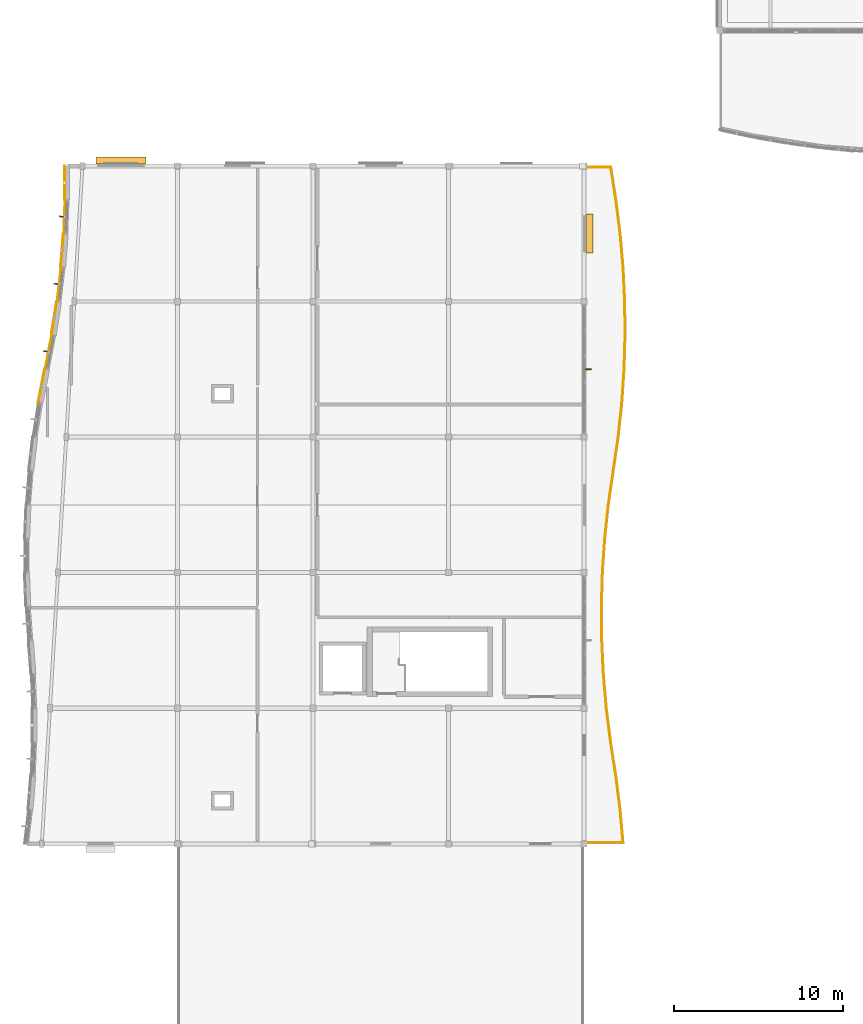
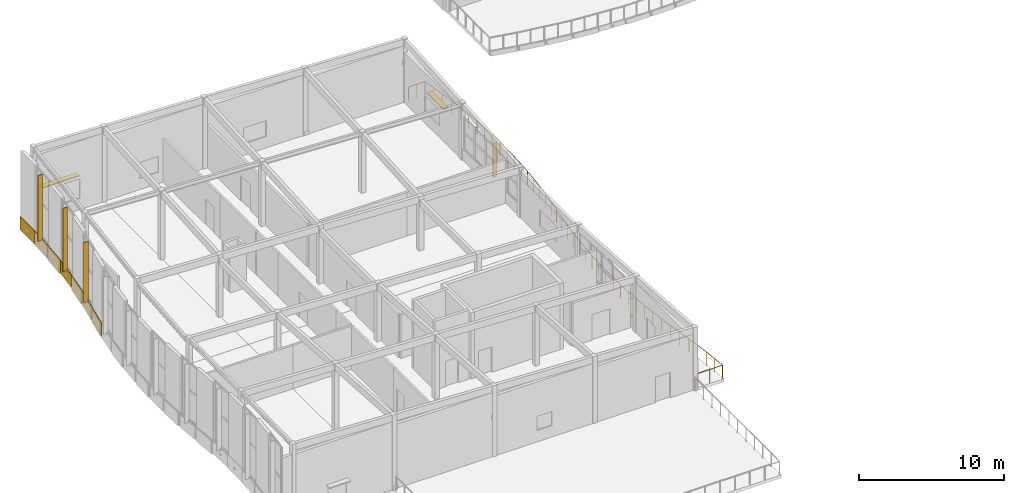
# One storey, part 43 of 52: 7 coverings, 6 shading devices, 1 railing.
"""IFC4 building model written with IfcOpenShell, lengths in metres."""

import ifcopenshell
import ifcopenshell.guid

model = None  # the IFC model being written
_history = None  # IfcOwnerHistory: only IFC2X3 demands one
_inside = {}  # id of a spatial element -> (the spatial element, [elements in it])
_under = {}  # id of a project, library or spatial element -> (it, [spatial elements below it])
_declared = {}  # id of a project -> (the project, [libraries it declares])
_typed = {}  # id of a type object -> (the type object, [elements of that type])
_made_of = {}  # id of a material, layer set ... -> (it, [elements and type objects made of it])


def new_model(schema):
    """Start an empty IFC model of exactly this schema.

    Asked for "IFC4X3", IfcOpenShell would pick the latest addendum, in which some entities
    have other attributes; the version numbers below select the first issue.
    IFC2X3 requires an IfcOwnerHistory on every rooted entity: one is made here for all.
    """
    global model, _history
    if schema == "IFC4X3":
        model = ifcopenshell.file(schema_version=(4, 3, 0, 0))
    else:
        model = ifcopenshell.file(schema=schema)
    _inside.clear()
    _under.clear()
    _declared.clear()
    _typed.clear()
    _made_of.clear()
    _history = None
    if model.schema == "IFC2X3":
        org = make("IfcOrganization", Name="unknown")
        user = make(
            "IfcPersonAndOrganization",
            ThePerson=make("IfcPerson", FamilyName="unknown"),
            TheOrganization=org,
        )
        app = make(
            "IfcApplication",
            ApplicationDeveloper=org,
            Version="unknown",
            ApplicationFullName="unknown",
            ApplicationIdentifier="unknown",
        )
        _history = make(
            "IfcOwnerHistory",
            OwningUser=user,
            OwningApplication=app,
            ChangeAction="ADDED",
            CreationDate=0,
        )
    return model


def make(cls, **values):
    """One entity of the class cls with the attributes given. An attribute that is None is left unset."""
    return model.create_entity(
        cls, **{name: value for name, value in values.items() if value is not None}
    )


def rooted(cls, **values):
    """An entity with a GlobalId (a new one), such as an element, a storey or a relation."""
    return make(cls, GlobalId=ifcopenshell.guid.new(), OwnerHistory=_history, **values)


def si_unit(unit_type, name, prefix=None):
    """IfcSIUnit, for example si_unit("LENGTHUNIT", "METRE", prefix="MILLI")."""
    return make("IfcSIUnit", UnitType=unit_type, Prefix=prefix, Name=name)


def assignment(units):
    """IfcUnitAssignment: the units of a project."""
    return None if units is None else make("IfcUnitAssignment", Units=units)


def point(xyz):
    """IfcCartesianPoint."""
    return None if xyz is None else make("IfcCartesianPoint", Coordinates=xyz)


def direction(xyz):
    """IfcDirection."""
    return None if xyz is None else make("IfcDirection", DirectionRatios=xyz)


def frame(location, z_axis=None, x_axis=None):
    """IfcAxis2Placement3D, a coordinate frame: its origin and axes. An axis left out is left unset."""
    return make(
        "IfcAxis2Placement3D",
        Location=point(location),
        Axis=direction(z_axis),
        RefDirection=direction(x_axis),
    )


def frame_2d(location, x_axis=None):
    """IfcAxis2Placement2D, a coordinate frame in the plane: its origin and x axis."""
    return make(
        "IfcAxis2Placement2D", Location=point(location), RefDirection=direction(x_axis)
    )


def origin():
    """The frame at (0, 0, 0) with its axes left unset."""
    return frame((0.0, 0.0, 0.0))


def origin_2d():
    """The frame at (0, 0) in the plane with its x axis left unset."""
    return frame_2d((0.0, 0.0))


def place(relative_to, where):
    """IfcLocalPlacement: puts the frame where relative to a parent placement (None: the world)."""
    return make(
        "IfcLocalPlacement", PlacementRelTo=relative_to, RelativePlacement=where
    )


def context(
    kind, dimensions, precision=None, world=None, true_north=None, identifier=None
):
    """IfcGeometricRepresentationContext, for example the 3D "Model" context."""
    return make(
        "IfcGeometricRepresentationContext",
        ContextIdentifier=identifier,
        ContextType=kind,
        CoordinateSpaceDimension=dimensions,
        Precision=precision,
        WorldCoordinateSystem=world,
        TrueNorth=true_north,
    )


def subcontext(parent, identifier, kind, view, scale=None):
    """IfcGeometricRepresentationSubContext, for example "Body" below "Model"."""
    return make(
        "IfcGeometricRepresentationSubContext",
        ContextIdentifier=identifier,
        ContextType=kind,
        ParentContext=parent,
        TargetScale=scale,
        TargetView=view,
    )


def project(units=None, contexts=None):
    """IfcProject with its units and contexts."""
    return rooted(
        "IfcProject",
        Name="project",
        RepresentationContexts=contexts,
        UnitsInContext=assignment(units),
    )


def spatial(cls, under=None, at=None, **own):
    """A site, building, storey or space (cls), placed at a placement, below another one or the project."""
    s = rooted(cls, ObjectPlacement=at, **own)
    if under is not None:
        _under.setdefault(under.id(), (under, []))[1].append(s)
    return s


def polyline(points):
    """IfcPolyline through the points."""
    return make("IfcPolyline", Points=[point(p) for p in points])


def profile(cls, at=None, kind="AREA", **sizes):
    """A parametric profile (cls). Its sizes go by their IFC names, for example OverallWidth=200.0."""
    return make(cls, ProfileType=kind, Position=at, **sizes)


def rectangle(**sizes):
    """IfcRectangleProfileDef."""
    return profile("IfcRectangleProfileDef", **sizes)


def circle(**sizes):
    """IfcCircleProfileDef."""
    return profile("IfcCircleProfileDef", **sizes)


def outline(outer, holes=None, kind="AREA"):
    """IfcArbitraryClosedProfileDef: a profile drawn as a closed curve; with holes, ...WithVoids."""
    if holes is None:
        return make("IfcArbitraryClosedProfileDef", ProfileType=kind, OuterCurve=outer)
    return make(
        "IfcArbitraryProfileDefWithVoids",
        ProfileType=kind,
        OuterCurve=outer,
        InnerCurves=holes,
    )


def extrude(swept, where, along, depth):
    """IfcExtrudedAreaSolid: the profile swept, set in the frame where, extruded along a direction by depth."""
    return make(
        "IfcExtrudedAreaSolid",
        SweptArea=swept,
        Position=where,
        ExtrudedDirection=direction(along),
        Depth=depth,
    )


def shape(context_of_items, identifier, shape_type, items):
    """IfcShapeRepresentation: the items that make up one representation, for example the "Body"."""
    return make(
        "IfcShapeRepresentation",
        ContextOfItems=context_of_items,
        RepresentationIdentifier=identifier,
        RepresentationType=shape_type,
        Items=items,
    )


def material(Name=None, Category=None):
    """IfcMaterial."""
    return make("IfcMaterial", Name=Name, Category=Category)


def layer(
    of_material, thickness, ventilated=None, Name=None, Category=None, Priority=None
):
    """IfcMaterialLayer: one layer of a wall or slab, of a material (None: an air gap)."""
    return make(
        "IfcMaterialLayer",
        Material=of_material,
        LayerThickness=thickness,
        IsVentilated=ventilated,
        Name=Name,
        Category=Category,
        Priority=Priority,
    )


def layer_set(layers, Name=None):
    """IfcMaterialLayerSet."""
    return make("IfcMaterialLayerSet", MaterialLayers=layers, LayerSetName=Name)


def made_of(thing, what):
    """Note that an element or type object is made of a material, layer set ...; save() writes the relation."""
    if what is not None:
        _made_of.setdefault(what.id(), (what, []))[1].append(thing)
    return thing


def type_object(cls, material=None, **own):
    """A type object (cls), such as IfcWallType, which elements share."""
    return made_of(rooted(cls, **own), material)


def element(
    cls,
    number,
    at=None,
    inside=None,
    cuts=None,
    type_object=None,
    material=None,
    context=None,
    identifier="Body",
    shape_type=None,
    held_by="IfcProductDefinitionShape",
    body=None,
    shapes=None,
    **own,
):
    """One element of the class cls, such as IfcWall. Its Tag is "e" and its number.

    at: its placement. inside: the storey or other place that contains it. cuts: it is an
    opening in that element (IfcRelVoidsElement). A single representation is given by context,
    identifier, shape_type and body (its items); several are given by shapes. held_by: the class
    of the entity that holds the representations. save() writes the other relations.
    """
    e = rooted(cls, Tag="e%d" % number, ObjectPlacement=at, **own)
    if body is not None:
        shapes = [shape(context, identifier, shape_type, body)]
    if shapes is not None:
        e.Representation = make(held_by, Representations=shapes)
    if inside is not None:
        _inside.setdefault(inside.id(), (inside, []))[1].append(e)
    if cuts is not None:
        rooted(
            "IfcRelVoidsElement", RelatingBuildingElement=cuts, RelatedOpeningElement=e
        )
    if type_object is not None:
        _typed.setdefault(type_object.id(), (type_object, []))[1].append(e)
    return made_of(e, material)


def aggregate(whole, parts):
    """IfcRelAggregates: a whole, such as a stair, and the parts it consists of."""
    return rooted("IfcRelAggregates", RelatingObject=whole, RelatedObjects=parts)


def save(model, path):
    """Write the relations noted so far, then the file.

    IfcRelAggregates (storeys below a building ...), IfcRelContainedInSpatialStructure (elements
    in a storey), IfcRelDefinesByType, IfcRelAssociatesMaterial and IfcRelDeclares: one each for
    every whole, place, type object, material and project.
    """
    for whole, parts in _under.values():
        aggregate(whole, parts)
    for where, things in _inside.values():
        rooted(
            "IfcRelContainedInSpatialStructure",
            RelatedElements=things,
            RelatingStructure=where,
        )
    for kind, things in _typed.values():
        rooted("IfcRelDefinesByType", RelatedObjects=things, RelatingType=kind)
    for what, things in _made_of.values():
        rooted("IfcRelAssociatesMaterial", RelatedObjects=things, RelatingMaterial=what)
    for by, libraries in _declared.values():
        rooted("IfcRelDeclares", RelatingContext=by, RelatedDefinitions=libraries)
    model.write(path)


model = new_model("IFC4")

# Units and contexts
model_context = context("Model", 3, precision=1e-05, world=origin(), true_north=direction((0.0, 1.0)))
body_context = subcontext(model_context, "Body", "Model", "MODEL_VIEW")
ifc_project = project(units=[si_unit("LENGTHUNIT", "METRE"), si_unit("AREAUNIT", "SQUARE_METRE"), si_unit("VOLUMEUNIT", "CUBIC_METRE"), si_unit("PLANEANGLEUNIT", "RADIAN"), si_unit("MASSUNIT", "GRAM", prefix="KILO")], contexts=[model_context])

# Site, building, storey
site_placement = place(None, origin())
site = spatial("IfcSite", under=ifc_project, at=site_placement, CompositionType="ELEMENT")
building_placement = place(site_placement, origin())
building = spatial("IfcBuilding", under=site, at=building_placement, Name="Tonlespit Floodbar School", CompositionType="ELEMENT")
storey_placement = place(building_placement, frame((0.0, 0.0, 12.300048828125)))
storey = spatial("IfcBuildingStorey", under=building, at=storey_placement, Name="L03", CompositionType="ELEMENT", Elevation=12.300048828125)

# Coverings
ifc_material_1 = material(Name="White Architectural Aluminium", Category="aluminium")
ifc_layer_1 = layer(ifc_material_1, 0.050048828125)
ifc_layer_set_1 = layer_set([ifc_layer_1], Name="White Architectural Aluminium")
covering_type = type_object("IfcCoveringType", Name="Cladding_WhiteBand_50", PredefinedType="CLADDING", material=ifc_layer_set_1)
covering_1_placement = place(storey_placement, frame((0.0, 0.0, -0.1201171875)))
element("IfcCovering", 1, at=covering_1_placement, inside=storey, type_object=covering_type, Name="L03 curved white spandrel cladding 0582", PredefinedType="CLADDING", context=body_context, shape_type="SweptSolid", body=[
    extrude(outline(polyline([(3.810546875, 82.02490234375), (4.202392578125, 84.02490234375), (4.1533203125, 84.03466796875), (3.761474609375, 82.03466796875), (3.810546875, 82.02490234375)])), origin(), (0.0, 0.0, 1.0), 1.1201171875),
])
covering_2_placement = place(storey_placement, frame((0.0, 0.0, -0.1201171875)))
element("IfcCovering", 2, at=covering_2_placement, inside=storey, type_object=covering_type, Name="L03 curved white spandrel cladding 0583", PredefinedType="CLADDING", context=body_context, shape_type="SweptSolid", body=[
    extrude(outline(polyline([(4.23193359375, 84.019287109375), (4.623779296875, 86.019287109375), (4.57470703125, 86.02880859375), (4.182861328125, 84.02880859375), (4.23193359375, 84.019287109375)])), origin(), (0.0, 0.0, 1.0), 1.070068359375),
])
covering_3_placement = place(storey_placement, frame((0.0, 0.0, -0.1201171875)))
element("IfcCovering", 3, at=covering_3_placement, inside=storey, type_object=covering_type, Name="L03 curved white spandrel cladding 0584", PredefinedType="CLADDING", context=body_context, shape_type="SweptSolid", body=[
    extrude(outline(polyline([(4.593505859375, 86.02001953125), (4.906494140625, 88.02001953125), (4.857177734375, 88.02783203125), (4.5439453125, 86.02783203125), (4.593505859375, 86.02001953125)])), origin(), (0.0, 0.0, 1.0), 1.1201171875),
])
covering_4_placement = place(storey_placement, frame((0.0, 0.0, -0.1201171875)))
element("IfcCovering", 4, at=covering_4_placement, inside=storey, type_object=covering_type, Name="L03 curved white spandrel cladding 0585", PredefinedType="CLADDING", context=body_context, shape_type="SweptSolid", body=[
    extrude(outline(polyline([(4.935791015625, 88.01171875), (5.17138671875, 90.01171875), (5.12158203125, 90.017578125), (4.885986328125, 88.017578125), (4.935791015625, 88.01171875)])), origin(), (0.0, 0.0, 1.0), 1.070068359375),
])
covering_5_placement = place(storey_placement, frame((0.0, 0.0, -0.1201171875)))
element("IfcCovering", 5, at=covering_5_placement, inside=storey, type_object=covering_type, Name="L03 curved white spandrel cladding 0586", PredefinedType="CLADDING", context=body_context, shape_type="SweptSolid", body=[
    extrude(outline(polyline([(5.14111328125, 90.01025390625), (5.299560546875, 92.01025390625), (5.249755859375, 92.014404296875), (5.09130859375, 90.014404296875), (5.14111328125, 90.01025390625)])), origin(), (0.0, 0.0, 1.0), 1.1201171875),
])
covering_6_placement = place(storey_placement, frame((0.0, 0.0, -0.1201171875)))
element("IfcCovering", 6, at=covering_6_placement, inside=storey, type_object=covering_type, Name="L03 curved white spandrel cladding 0587", PredefinedType="CLADDING", context=body_context, shape_type="SweptSolid", body=[
    extrude(outline(polyline([(5.3291015625, 92.004150390625), (5.41064453125, 94.004150390625), (5.360595703125, 94.006103515625), (5.279296875, 92.006103515625), (5.3291015625, 92.004150390625)])), origin(), (0.0, 0.0, 1.0), 1.070068359375),
])
covering_7_placement = place(storey_placement, frame((0.0, 0.0, -0.1201171875)))
element("IfcCovering", 7, at=covering_7_placement, inside=storey, type_object=covering_type, Name="L03 curved white spandrel cladding 0588", PredefinedType="CLADDING", context=body_context, shape_type="SweptSolid", body=[
    extrude(outline(polyline([(5.380615234375, 94.000244140625), (5.385009765625, 96.000244140625), (5.3349609375, 96.00048828125), (5.33056640625, 94.00048828125), (5.380615234375, 94.000244140625)])), origin(), (0.0, 0.0, 1.0), 1.1201171875),
])

# Railing
ifc_material_2 = material(Name="Anodised Aluminium", Category="aluminium")
railing_type = type_object("IfcRailingType", Name="Guardrail_Terrace_1150", PredefinedType="GUARDRAIL", material=ifc_material_2)
railing_placement = place(storey_placement, frame((36.26123046875, 95.919921875, 0.0)))
element("IfcRailing", 8, at=railing_placement, inside=storey, type_object=railing_type, Name="L03 terrace balustrade 026", PredefinedType="GUARDRAIL", context=body_context, shape_type="SweptSolid", body=[
    extrude(circle(Radius=0.02392578125, at=origin_2d()), frame((0.0, 0.0, 1.1259765625), z_axis=(1.0, 0.0, 0.0), x_axis=(0.0, 1.0, 0.0)), (0.0, 0.0, 1.0), 1.31396484375),
    extrude(circle(Radius=0.02392578125, at=origin_2d()), frame((1.31396484375, 0.0, 1.1259765625), z_axis=(0.15415965399, -0.988045950896, 0.0), x_axis=(0.988045950896, 0.15415965399, 0.0)), (0.0, 0.0, 1.0), 1.954345703125),
    extrude(circle(Radius=0.02392578125, at=origin_2d()), frame((1.615234375, -1.930908203125, 1.1259765625), z_axis=(0.125034725507, -0.992152366029, 0.0), x_axis=(0.992152366029, 0.125034725507, 0.0)), (0.0, 0.0, 1.0), 2.01318359375),
    extrude(circle(Radius=0.02392578125, at=origin_2d()), frame((1.866943359375, -3.92822265625, 1.1259765625), z_axis=(0.086603335712, -0.996242873121, 0.0), x_axis=(0.996242873121, 0.086603335712, 0.0)), (0.0, 0.0, 1.0), 2.00439453125),
    extrude(circle(Radius=0.02392578125, at=origin_2d()), frame((2.04052734375, -5.925048828125, 1.1259765625), z_axis=(0.047988657349, -0.998847880693, 0.0), x_axis=(0.998847880693, 0.047988657349, 0.0)), (0.0, 0.0, 1.0), 1.999267578125),
    extrude(circle(Radius=0.02392578125, at=origin_2d()), frame((2.136474609375, -7.922119140625, 1.1259765625), z_axis=(0.009658431978, -0.999953356258, 0.0), x_axis=(0.999953356258, 0.009658431978, 0.0)), (0.0, 0.0, 1.0), 1.996826171875),
    extrude(circle(Radius=0.02392578125, at=origin_2d()), frame((2.15576171875, -9.9189453125, 1.1259765625), z_axis=(-0.028838855916, -0.999584073697, 0.0), x_axis=(0.999584073697, -0.028838855916, 0.0)), (0.0, 0.0, 1.0), 1.997802734375),
    extrude(circle(Radius=0.02392578125, at=origin_2d()), frame((2.09814453125, -11.916015625, 1.1259765625), z_axis=(-0.067336731777, -0.997730306523, 0.0), x_axis=(0.997730306523, -0.067336731777, 0.0)), (0.0, 0.0, 1.0), 2.00146484375),
    extrude(circle(Radius=0.02392578125, at=origin_2d()), frame((1.96337890625, -13.912841796875, 1.1259765625), z_axis=(-0.105773265444, -0.994390273644, 0.0), x_axis=(0.994390273644, -0.105773265444, 0.0)), (0.0, 0.0, 1.0), 2.008056640625),
    extrude(circle(Radius=0.02392578125, at=origin_2d()), frame((1.7509765625, -15.90966796875, 1.1259765625), z_axis=(-0.144314289897, -0.989531902331, 0.0), x_axis=(0.989531902331, -0.144314289897, 0.0)), (0.0, 0.0, 1.0), 2.02001953125),
    extrude(circle(Radius=0.02392578125, at=origin_2d()), frame((1.45947265625, -17.908447265625, 1.1259765625), z_axis=(-0.144262527871, -0.989539449973, 0.0), x_axis=(0.989539449973, -0.144262527871, 0.0)), (0.0, 0.0, 1.0), 2.020751953125),
    extrude(circle(Radius=0.02392578125, at=origin_2d()), frame((1.16796875, -19.907958984375, 1.1259765625), z_axis=(-0.105681514348, -0.994400028925, 0.0), x_axis=(0.994400028925, -0.105681514348, 0.0)), (0.0, 0.0, 1.0), 2.014404296875),
    extrude(circle(Radius=0.02392578125, at=origin_2d()), frame((0.955078125, -21.9111328125, 1.1259765625), z_axis=(-0.06749565581, -0.997719568038, 0.0), x_axis=(0.997719568038, -0.06749565581, 0.0)), (0.0, 0.0, 1.0), 2.007568359375),
    extrude(circle(Radius=0.02392578125, at=origin_2d()), frame((0.819580078125, -23.9140625, 1.1259765625), z_axis=(-0.028872784076, -0.999583094265, 0.0), x_axis=(0.999583094265, -0.028872784076, 0.0)), (0.0, 0.0, 1.0), 2.00390625),
    extrude(circle(Radius=0.02392578125, at=origin_2d()), frame((0.76171875, -25.917236328125, 1.1259765625), z_axis=(0.009627829185, -0.999953651378, 0.0), x_axis=(0.999953651378, 0.009627829185, 0.0)), (0.0, 0.0, 1.0), 2.003173828125),
    extrude(circle(Radius=0.02392578125, at=origin_2d()), frame((0.781005859375, -27.92041015625, 1.1259765625), z_axis=(0.048091535643, -0.998842932697, 0.0), x_axis=(0.998842932697, 0.048091535643, 0.0)), (0.0, 0.0, 1.0), 2.00537109375),
    extrude(circle(Radius=0.02392578125, at=origin_2d()), frame((0.87744140625, -29.92333984375, 1.1259765625), z_axis=(0.086451470678, -0.996256063077, 0.0), x_axis=(0.996256063077, 0.086451470678, 0.0)), (0.0, 0.0, 1.0), 2.0107421875),
    extrude(circle(Radius=0.02392578125, at=origin_2d()), frame((1.05126953125, -31.926513671875, 1.1259765625), z_axis=(0.125031801042, -0.992152734577, 0.0), x_axis=(0.992152734577, 0.125031801042, 0.0)), (0.0, 0.0, 1.0), 2.01904296875),
    extrude(circle(Radius=0.02392578125, at=origin_2d()), frame((1.3037109375, -33.9296875, 1.1259765625), z_axis=(0.153814239619, -0.988099782254, 0.0), x_axis=(0.988099782254, 0.153814239619, 0.0)), (0.0, 0.0, 1.0), 2.025390625),
    extrude(circle(Radius=0.02392578125, at=origin_2d()), frame((1.615234375, -35.930908203125, 1.1259765625), z_axis=(0.125034725507, -0.992152366029, 0.0), x_axis=(0.992152366029, 0.125034725507, 0.0)), (0.0, 0.0, 1.0), 2.01318359375),
    extrude(circle(Radius=0.02392578125, at=origin_2d()), frame((1.866943359375, -37.92822265625, 1.1259765625), z_axis=(0.08654174669, -0.996248225133, 0.0), x_axis=(0.996248225133, 0.08654174669, 0.0)), (0.0, 0.0, 1.0), 1.918212890625),
    extrude(circle(Radius=0.02392578125, at=origin_2d()), frame((2.032958984375, -39.83935546875, 1.1259765625), z_axis=(-0.999999971156, -0.000240182532, 0.0), x_axis=(0.000240182532, -0.999999971156, 0.0)), (0.0, 0.0, 1.0), 2.032958984375),
    extrude(circle(Radius=0.02099609375, at=origin_2d()), origin(), (0.0, 0.0, 1.0), 1.101806640625),
    extrude(circle(Radius=0.02099609375, at=origin_2d()), frame((0.656982421875, 0.0, 0.0)), (0.0, 0.0, 1.0), 1.101806640625),
    extrude(circle(Radius=0.02099609375, at=origin_2d()), frame((1.31396484375, 0.0, 0.0)), (0.0, 0.0, 1.0), 1.101806640625),
    extrude(circle(Radius=0.02099609375, at=origin_2d()), frame((1.464599609375, -0.96533203125, 0.0)), (0.0, 0.0, 1.0), 1.101806640625),
    extrude(circle(Radius=0.02099609375, at=origin_2d()), frame((1.615234375, -1.930908203125, 0.0)), (0.0, 0.0, 1.0), 1.101806640625),
    extrude(circle(Radius=0.02099609375, at=origin_2d()), frame((1.7412109375, -2.9296875, 0.0)), (0.0, 0.0, 1.0), 1.101806640625),
    extrude(circle(Radius=0.02099609375, at=origin_2d()), frame((1.866943359375, -3.92822265625, 0.0)), (0.0, 0.0, 1.0), 1.101806640625),
    extrude(circle(Radius=0.02099609375, at=origin_2d()), frame((1.95361328125, -4.9267578125, 0.0)), (0.0, 0.0, 1.0), 1.101806640625),
    extrude(circle(Radius=0.02099609375, at=origin_2d()), frame((2.04052734375, -5.925048828125, 0.0)), (0.0, 0.0, 1.0), 1.101806640625),
    extrude(circle(Radius=0.02099609375, at=origin_2d()), frame((2.08837890625, -6.923583984375, 0.0)), (0.0, 0.0, 1.0), 1.101806640625),
    extrude(circle(Radius=0.02099609375, at=origin_2d()), frame((2.136474609375, -7.922119140625, 0.0)), (0.0, 0.0, 1.0), 1.101806640625),
    extrude(circle(Radius=0.02099609375, at=origin_2d()), frame((2.14599609375, -8.92041015625, 0.0)), (0.0, 0.0, 1.0), 1.101806640625),
    extrude(circle(Radius=0.02099609375, at=origin_2d()), frame((2.15576171875, -9.9189453125, 0.0)), (0.0, 0.0, 1.0), 1.101806640625),
    extrude(circle(Radius=0.02099609375, at=origin_2d()), frame((2.126953125, -10.91748046875, 0.0)), (0.0, 0.0, 1.0), 1.101806640625),
    extrude(circle(Radius=0.02099609375, at=origin_2d()), frame((2.09814453125, -11.916015625, 0.0)), (0.0, 0.0, 1.0), 1.101806640625),
    extrude(circle(Radius=0.02099609375, at=origin_2d()), frame((2.03076171875, -12.91455078125, 0.0)), (0.0, 0.0, 1.0), 1.101806640625),
    extrude(circle(Radius=0.02099609375, at=origin_2d()), frame((1.96337890625, -13.912841796875, 0.0)), (0.0, 0.0, 1.0), 1.101806640625),
    extrude(circle(Radius=0.02099609375, at=origin_2d()), frame((1.857177734375, -14.9111328125, 0.0)), (0.0, 0.0, 1.0), 1.101806640625),
    extrude(circle(Radius=0.02099609375, at=origin_2d()), frame((1.7509765625, -15.90966796875, 0.0)), (0.0, 0.0, 1.0), 1.101806640625),
    extrude(circle(Radius=0.02099609375, at=origin_2d()), frame((1.605224609375, -16.9091796875, 0.0)), (0.0, 0.0, 1.0), 1.101806640625),
    extrude(circle(Radius=0.02099609375, at=origin_2d()), frame((1.45947265625, -17.908447265625, 0.0)), (0.0, 0.0, 1.0), 1.101806640625),
    extrude(circle(Radius=0.02099609375, at=origin_2d()), frame((1.313720703125, -18.908203125, 0.0)), (0.0, 0.0, 1.0), 1.101806640625),
    extrude(circle(Radius=0.02099609375, at=origin_2d()), frame((1.16796875, -19.907958984375, 0.0)), (0.0, 0.0, 1.0), 1.101806640625),
    extrude(circle(Radius=0.02099609375, at=origin_2d()), frame((1.0615234375, -20.90966796875, 0.0)), (0.0, 0.0, 1.0), 1.101806640625),
    extrude(circle(Radius=0.02099609375, at=origin_2d()), frame((0.955078125, -21.9111328125, 0.0)), (0.0, 0.0, 1.0), 1.101806640625),
    extrude(circle(Radius=0.02099609375, at=origin_2d()), frame((0.88720703125, -22.91259765625, 0.0)), (0.0, 0.0, 1.0), 1.101806640625),
    extrude(circle(Radius=0.02099609375, at=origin_2d()), frame((0.819580078125, -23.9140625, 0.0)), (0.0, 0.0, 1.0), 1.101806640625),
    extrude(circle(Radius=0.02099609375, at=origin_2d()), frame((0.79052734375, -24.91552734375, 0.0)), (0.0, 0.0, 1.0), 1.101806640625),
    extrude(circle(Radius=0.02099609375, at=origin_2d()), frame((0.76171875, -25.917236328125, 0.0)), (0.0, 0.0, 1.0), 1.101806640625),
    extrude(circle(Radius=0.02099609375, at=origin_2d()), frame((0.771484375, -26.9189453125, 0.0)), (0.0, 0.0, 1.0), 1.101806640625),
    extrude(circle(Radius=0.02099609375, at=origin_2d()), frame((0.781005859375, -27.92041015625, 0.0)), (0.0, 0.0, 1.0), 1.101806640625),
    extrude(circle(Radius=0.02099609375, at=origin_2d()), frame((0.8291015625, -28.921875, 0.0)), (0.0, 0.0, 1.0), 1.101806640625),
    extrude(circle(Radius=0.02099609375, at=origin_2d()), frame((0.87744140625, -29.92333984375, 0.0)), (0.0, 0.0, 1.0), 1.101806640625),
    extrude(circle(Radius=0.02099609375, at=origin_2d()), frame((0.96435546875, -30.9248046875, 0.0)), (0.0, 0.0, 1.0), 1.101806640625),
    extrude(circle(Radius=0.02099609375, at=origin_2d()), frame((1.05126953125, -31.926513671875, 0.0)), (0.0, 0.0, 1.0), 1.101806640625),
    extrude(circle(Radius=0.02099609375, at=origin_2d()), frame((1.177490234375, -32.92822265625, 0.0)), (0.0, 0.0, 1.0), 1.101806640625),
    extrude(circle(Radius=0.02099609375, at=origin_2d()), frame((1.3037109375, -33.9296875, 0.0)), (0.0, 0.0, 1.0), 1.101806640625),
    extrude(circle(Radius=0.02099609375, at=origin_2d()), frame((1.45947265625, -34.93017578125, 0.0)), (0.0, 0.0, 1.0), 1.101806640625),
    extrude(circle(Radius=0.02099609375, at=origin_2d()), frame((1.615234375, -35.930908203125, 0.0)), (0.0, 0.0, 1.0), 1.101806640625),
    extrude(circle(Radius=0.02099609375, at=origin_2d()), frame((1.7412109375, -36.9296875, 0.0)), (0.0, 0.0, 1.0), 1.101806640625),
    extrude(circle(Radius=0.02099609375, at=origin_2d()), frame((1.866943359375, -37.92822265625, 0.0)), (0.0, 0.0, 1.0), 1.101806640625),
    extrude(circle(Radius=0.02099609375, at=origin_2d()), frame((1.949951171875, -38.8837890625, 0.0)), (0.0, 0.0, 1.0), 1.101806640625),
    extrude(circle(Radius=0.02099609375, at=origin_2d()), frame((2.032958984375, -39.83935546875, 0.0)), (0.0, 0.0, 1.0), 1.101806640625),
    extrude(circle(Radius=0.02099609375, at=origin_2d()), frame((1.0166015625, -39.839599609375, 0.0)), (0.0, 0.0, 1.0), 1.101806640625),
    extrude(circle(Radius=0.02099609375, at=origin_2d()), frame((0.0, -39.83984375, 0.0)), (0.0, 0.0, 1.0), 1.101806640625),
])

# Shading devices
ifc_layer_2 = layer(ifc_material_2, 0.080078125)
ifc_layer_set_2 = layer_set([ifc_layer_2], Name="Anodised Aluminium")
shading_device_type_1 = type_object("IfcShadingDeviceType", Name="Shading_MonsoonJalousie_400", PredefinedType="JALOUSIE", material=ifc_layer_set_2)
shading_device_1_placement = place(storey_placement, frame((8.66748046875, 96.318115234375, 2.619873046875), z_axis=(0.0, 0.0, 1.0), x_axis=(1.0, 0.0, 0.0)))
element("IfcShadingDevice", 9, at=shading_device_1_placement, inside=storey, type_object=shading_device_type_1, Name="L03 monsoon jalousie 180", PredefinedType="JALOUSIE", context=body_context, shape_type="SweptSolid", body=[
    extrude(rectangle(XDim=2.949951171875, YDim=0.39990234375, at=origin_2d()), origin(), (0.0, 0.0, 1.0), 0.080078125),
])
shading_device_2_placement = place(storey_placement, frame((36.318115234375, 92.0, 2.31982421875), z_axis=(0.0, 0.0, 1.0), x_axis=(0.0, -1.0, 0.0)))
element("IfcShadingDevice", 10, at=shading_device_2_placement, inside=storey, type_object=shading_device_type_1, Name="L03 monsoon jalousie 181", PredefinedType="JALOUSIE", context=body_context, shape_type="SweptSolid", body=[
    extrude(rectangle(XDim=2.300048828125, YDim=0.39990234375, at=origin_2d()), origin(), (0.0, 0.0, 1.0), 0.080078125),
])
ifc_material_3 = material(Name="Terracotta Anodised Aluminium", Category="masonry")
ifc_layer_3 = layer(ifc_material_3, 0.06005859375)
ifc_layer_set_3 = layer_set([ifc_layer_3], Name="Terracotta Anodised Aluminium")
shading_device_type_2 = type_object("IfcShadingDeviceType", Name="Shading_SolarFin_350", PredefinedType="USERDEFINED", material=ifc_layer_set_3)
shading_device_3_placement = place(storey_placement, frame((4.270751953125, 85.050048828125, 0.7998046875), z_axis=(0.0, 0.0, 1.0), x_axis=(0.192246217643, 0.98134672354, 0.0)))
element("IfcShadingDevice", 11, at=shading_device_3_placement, inside=storey, type_object=shading_device_type_2, Name="L03 vertical solar fin 177", ObjectType="SOLAR FIN", PredefinedType="USERDEFINED", context=body_context, shape_type="SweptSolid", body=[
    extrude(rectangle(XDim=0.06005859375, YDim=0.35009765625, at=origin_2d()), origin(), (0.0, 0.0, 1.0), 5.071044921875),
])
shading_device_4_placement = place(storey_placement, frame((4.89453125, 89.030517578125, 0.800048828125), z_axis=(0.0, 0.0, 1.0), x_axis=(0.116991411823, 0.99313292643, 0.0)))
element("IfcShadingDevice", 12, at=shading_device_4_placement, inside=storey, type_object=shading_device_type_2, Name="L03 vertical solar fin 178", ObjectType="SOLAR FIN", PredefinedType="USERDEFINED", context=body_context, shape_type="SweptSolid", body=[
    extrude(rectangle(XDim=0.06005859375, YDim=0.35009765625, at=origin_2d()), origin(), (0.0, 0.0, 1.0), 5.3154296875),
])
shading_device_5_placement = place(storey_placement, frame((5.210205078125, 93.010498046875, 0.7998046875), z_axis=(0.0, 0.0, 1.0), x_axis=(0.040715999914, 0.999170759856, 0.0)))
element("IfcShadingDevice", 13, at=shading_device_5_placement, inside=storey, type_object=shading_device_type_2, Name="L03 vertical solar fin 179", ObjectType="SOLAR FIN", PredefinedType="USERDEFINED", context=body_context, shape_type="SweptSolid", body=[
    extrude(rectangle(XDim=0.06005859375, YDim=0.35009765625, at=origin_2d()), origin(), (0.0, 0.0, 1.0), 5.572998046875),
])
shading_device_6_placement = place(storey_placement, frame((36.25244140625, 84.0, 0.800048828125), z_axis=(0.0, 0.0, 1.0), x_axis=(0.0, -1.0, 0.0)))
element("IfcShadingDevice", 14, at=shading_device_6_placement, inside=storey, type_object=shading_device_type_2, Name="L03 vertical solar fin 182", ObjectType="SOLAR FIN", PredefinedType="USERDEFINED", context=body_context, shape_type="SweptSolid", body=[
    extrude(rectangle(XDim=0.06005859375, YDim=0.35009765625, at=origin_2d()), origin(), (0.0, 0.0, 1.0), 2.8681640625),
])

save(model, "model.ifc")
